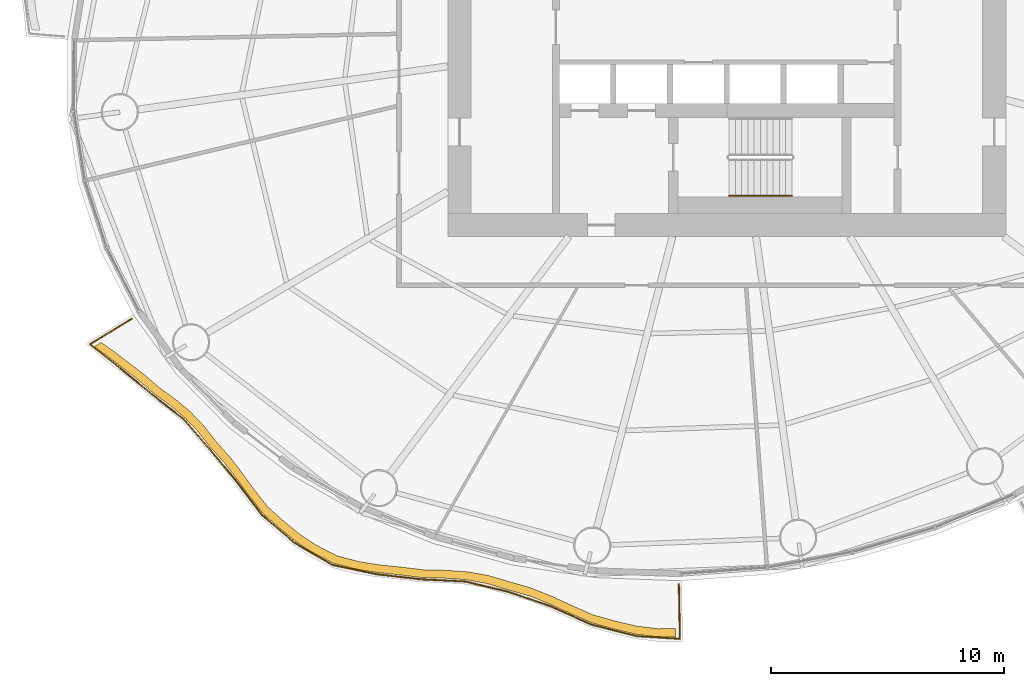
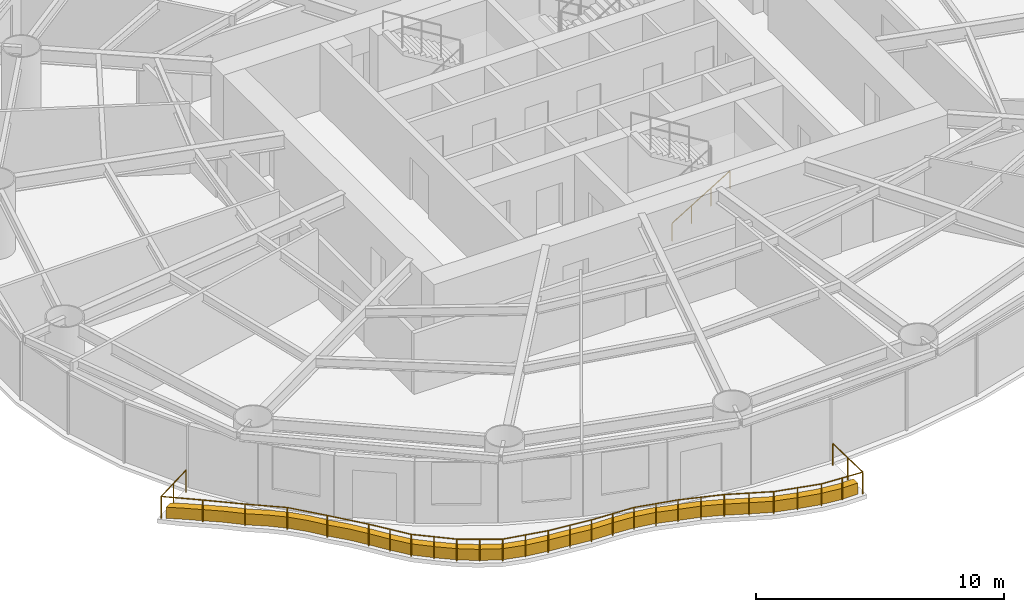
# One storey, part 12 of 16: 2 railings, 1 covering.
"""IFC4 building model written with IfcOpenShell, lengths in metres."""

from ifc_helpers import new_model, si_unit, direction, frame, origin, origin_2d, place, context, subcontext, project, spatial, polyline, circle, outline, extrude, material, type_object, element, save


model = new_model("IFC4")

# Units and contexts
model_context = context("Model", 3, precision=1e-05, world=origin(), true_north=direction((0.0, 1.0)))
body_context = subcontext(model_context, "Body", "Model", "MODEL_VIEW")
ifc_project = project(units=[si_unit("LENGTHUNIT", "METRE"), si_unit("AREAUNIT", "SQUARE_METRE"), si_unit("VOLUMEUNIT", "CUBIC_METRE"), si_unit("PLANEANGLEUNIT", "RADIAN"), si_unit("MASSUNIT", "GRAM", prefix="KILO")], contexts=[model_context])

# Site, building, storey
site_placement = place(None, origin())
site = spatial("IfcSite", under=ifc_project, at=site_placement, CompositionType="ELEMENT")
building_placement = place(site_placement, origin())
building = spatial("IfcBuilding", under=site, at=building_placement, Name="Vermilion Reach Broadcast Tower", CompositionType="ELEMENT")
storey_placement = place(building_placement, frame((0.0, 0.0, 88.60009765625)))
storey = spatial("IfcBuildingStorey", under=building, at=storey_placement, Name="L19", CompositionType="ELEMENT", Elevation=88.60009765625)

# Covering
ifc_material_1 = material(Name="Planting soil and greenery")
covering_type = type_object("IfcCoveringType", Name="Balcony PLANTER", PredefinedType="USERDEFINED", material=ifc_material_1)
covering_placement = place(storey_placement, origin())
element("IfcCovering", 1, at=covering_placement, inside=storey, type_object=covering_type, Name="PLANTER L19 group 3", ObjectType="PLANTER", PredefinedType="USERDEFINED", context=body_context, shape_type="SweptSolid", body=[
    extrude(outline(polyline([(-33.209716796875, -13.7353515625), (-32.6513671875, -14.14013671875), (-31.99658203125, -14.638427734375), (-31.344970703125, -15.13916015625), (-30.663330078125, -15.736083984375), (-29.925537109375, -16.273193359375), (-29.30908203125, -16.79541015625), (-28.7529296875, -17.376953125), (-28.19873046875, -18.076171875), (-27.580810546875, -18.76220703125), (-27.061767578125, -19.441162109375), (-26.5576171875, -20.1396484375), (-25.939208984375, -20.9169921875), (-25.185791015625, -21.5849609375), (-24.519287109375, -22.125244140625), (-23.809814453125, -22.58984375), (-22.919189453125, -23.04931640625), (-21.92138671875, -23.312255859375), (-21.03857421875, -23.447998046875), (-20.138916015625, -23.54248046875), (-19.148193359375, -23.6650390625), (-18.135986328125, -23.693115234375), (-17.232421875, -23.759765625), (-16.35302734375, -23.914306640625), (-15.43994140625, -24.185302734375), (-14.4990234375, -24.452392578125), (-13.633056640625, -24.794677734375), (-12.77490234375, -25.189208984375), (-11.809814453125, -25.6123046875), (-10.787841796875, -25.89697265625), (-9.873046875, -26.107421875), (-8.95458984375, -26.21875), (-8.199462890625, -26.213134765625), (-8.205810546875, -25.863037109375), (-8.94189453125, -25.869140625), (-9.8603515625, -25.757568359375), (-10.775146484375, -25.54736328125), (-11.77734375, -25.263671875), (-12.72265625, -24.843017578125), (-13.580810546875, -24.44873046875), (-14.44677734375, -24.1064453125), (-15.36767578125, -23.8427734375), (-16.2607421875, -23.57666015625), (-17.140380859375, -23.422119140625), (-18.043701171875, -23.35546875), (-19.03564453125, -23.33349609375), (-20.006103515625, -23.218505859375), (-20.906005859375, -23.124267578125), (-21.78857421875, -22.98828125), (-22.76611328125, -22.734619140625), (-23.636962890625, -22.28564453125), (-24.346435546875, -21.821044921875), (-25.0126953125, -21.280517578125), (-25.74609375, -20.625244140625), (-26.34521484375, -19.861328125), (-26.849365234375, -19.162841796875), (-27.368408203125, -18.484130859375), (-27.967041015625, -17.81396484375), (-28.503173828125, -17.131591796875), (-29.059326171875, -16.550048828125), (-29.67578125, -16.02783203125), (-30.39599609375, -15.510009765625), (-31.0615234375, -14.933837890625), (-31.713134765625, -14.43310546875), (-32.367919921875, -13.934814453125), (-32.911376953125, -13.55224609375), (-33.209716796875, -13.7353515625)])), origin(), (0.0, 0.0, 1.0), 0.5498046875),
])

# Railings
ifc_material_2 = material(Name="Stainless steel 316 balustrade", Category="steel")
railing_type_1 = type_object("IfcRailingType", Name="Balcony guard 1100", PredefinedType="BALUSTRADE", material=ifc_material_2)
railing_1_placement = place(storey_placement, frame((-31.590087890625, -12.531494140625, 0.0)))
element("IfcRailing", 2, at=railing_1_placement, inside=storey, type_object=railing_type_1, Name="Balcony guard L19 group 3", PredefinedType="BALUSTRADE", context=body_context, shape_type="SweptSolid", body=[
    extrude(circle(Radius=0.02490234375, at=origin_2d()), frame((0.0, 0.0, 1.0751953125), z_axis=(-0.852497841306, -0.522730743852, 0.0), x_axis=(0.522730743852, -0.852497841306, 0.0)), (0.0, 0.0, 1.0), 2.10400390625),
    extrude(circle(Radius=0.02490234375, at=origin_2d()), frame((-1.793701171875, -1.099853515625, 1.0751953125), z_axis=(0.781966101563, -0.623320957458, 0.0), x_axis=(0.623320957458, 0.781966101563, 0.0)), (0.0, 0.0, 1.0), 1.691162109375),
    extrude(circle(Radius=0.02490234375, at=origin_2d()), frame((-0.47119140625, -2.154052734375, 1.0751953125), z_axis=(0.77162915137, -0.636072678832, 0.0), x_axis=(0.636072678832, 0.77162915137, 0.0)), (0.0, 0.0, 1.0), 1.732666015625),
    extrude(circle(Radius=0.02490234375, at=origin_2d()), frame((0.86572265625, -3.256103515625, 1.0751953125), z_axis=(0.787328793744, -0.616533349091, 0.0), x_axis=(0.616533349091, 0.787328793744, 0.0)), (0.0, 0.0, 1.0), 1.725341796875),
    extrude(circle(Radius=0.02490234375, at=origin_2d()), frame((2.22412109375, -4.31982421875, 1.0751953125), z_axis=(0.655154576183, -0.755494858557, 0.0), x_axis=(0.755494858557, 0.655154576183, 0.0)), (0.0, 0.0, 1.0), 1.70068359375),
    extrude(circle(Radius=0.02490234375, at=origin_2d()), frame((3.33837890625, -5.604736328125, 1.0751953125), z_axis=(0.640602036227, -0.767873056684, 0.0), x_axis=(0.767873056684, 0.640602036227, 0.0)), (0.0, 0.0, 1.0), 1.781982421875),
    extrude(circle(Radius=0.02490234375, at=origin_2d()), frame((4.47998046875, -6.97314453125, 1.0751953125), z_axis=(0.605991783004, -0.795470903887, 0.0), x_axis=(0.795470903887, 0.605991783004, 0.0)), (0.0, 0.0, 1.0), 1.859375),
    extrude(circle(Radius=0.02490234375, at=origin_2d()), frame((5.606689453125, -8.4521484375, 1.0751953125), z_axis=(0.761858773408, -0.647743166217, 0.0), x_axis=(0.647743166217, 0.761858773408, 0.0)), (0.0, 0.0, 1.0), 1.869873046875),
    extrude(circle(Radius=0.02490234375, at=origin_2d()), frame((7.03125, -9.663330078125, 1.0751953125), z_axis=(0.865988083811, -0.50006463452, 0.0), x_axis=(0.50006463452, 0.865988083811, 0.0)), (0.0, 0.0, 1.0), 1.852783203125),
    extrude(circle(Radius=0.02490234375, at=origin_2d()), frame((8.6357421875, -10.58984375, 1.0751953125), z_axis=(0.978136635244, -0.207963272701, 0.0), x_axis=(0.207963272701, 0.978136635244, 0.0)), (0.0, 0.0, 1.0), 1.927734375),
    extrude(circle(Radius=0.02490234375, at=origin_2d()), frame((10.521240234375, -10.99072265625, 1.0751953125), z_axis=(0.993417901107, -0.114546382568, 0.0), x_axis=(0.114546382568, 0.993417901107, 0.0)), (0.0, 0.0, 1.0), 1.907470703125),
    extrude(circle(Radius=0.02490234375, at=origin_2d()), frame((12.416259765625, -11.209228515625, 1.0751953125), z_axis=(0.998747902067, -0.050026274271, 0.0), x_axis=(0.050026274271, 0.998747902067, 0.0)), (0.0, 0.0, 1.0), 1.9228515625),
    extrude(circle(Radius=0.02490234375, at=origin_2d()), frame((14.336669921875, -11.305419921875, 1.0751953125), z_axis=(0.972966262933, -0.230947290943, 0.0), x_axis=(0.230947290943, 0.972966262933, 0.0)), (0.0, 0.0, 1.0), 1.8466796875),
    extrude(circle(Radius=0.02490234375, at=origin_2d()), frame((16.133544921875, -11.73193359375, 1.0751953125), z_axis=(0.947656614013, -0.319291311999, 0.0), x_axis=(0.319291311999, 0.947656614013, 0.0)), (0.0, 0.0, 1.0), 1.91162109375),
    extrude(circle(Radius=0.02490234375, at=origin_2d()), frame((17.945068359375, -12.34228515625, 1.0751953125), z_axis=(0.912727331102, -0.408569234107, 0.0), x_axis=(0.408569234107, 0.912727331102, 0.0)), (0.0, 0.0, 1.0), 2.00244140625),
    extrude(circle(Radius=0.02490234375, at=origin_2d()), frame((19.772705078125, -13.160400390625, 1.0751953125), z_axis=(0.968955606009, -0.247234774219, 0.0), x_axis=(0.247234774219, 0.968955606009, 0.0)), (0.0, 0.0, 1.0), 2.003662109375),
    extrude(circle(Radius=0.02490234375, at=origin_2d()), frame((21.714111328125, -13.65576171875, 1.0751953125), z_axis=(0.998178084547, -0.060336651628, 0.0), x_axis=(0.060336651628, 0.998178084547, 0.0)), (0.0, 0.0, 1.0), 1.861328125),
    extrude(circle(Radius=0.02490234375, at=origin_2d()), frame((23.572021484375, -13.76806640625, 1.0751953125), z_axis=(-0.018197714132, 0.99983440789, 0.0), x_axis=(-0.99983440789, -0.018197714132, 0.0)), (0.0, 0.0, 1.0), 2.347900390625),
    extrude(circle(Radius=0.02490234375, at=origin_2d()), origin(), (0.0, 0.0, 1.0), 1.050048828125),
    extrude(circle(Radius=0.02490234375, at=origin_2d()), frame((-0.89697265625, -0.5498046875, 0.0)), (0.0, 0.0, 1.0), 1.050048828125),
    extrude(circle(Radius=0.02490234375, at=origin_2d()), frame((-1.793701171875, -1.099853515625, 0.0)), (0.0, 0.0, 1.0), 1.050048828125),
    extrude(circle(Radius=0.02490234375, at=origin_2d()), frame((-0.47119140625, -2.154052734375, 0.0)), (0.0, 0.0, 1.0), 1.050048828125),
    extrude(circle(Radius=0.02490234375, at=origin_2d()), frame((0.86572265625, -3.256103515625, 0.0)), (0.0, 0.0, 1.0), 1.050048828125),
    extrude(circle(Radius=0.02490234375, at=origin_2d()), frame((2.22412109375, -4.31982421875, 0.0)), (0.0, 0.0, 1.0), 1.050048828125),
    extrude(circle(Radius=0.02490234375, at=origin_2d()), frame((3.33837890625, -5.604736328125, 0.0)), (0.0, 0.0, 1.0), 1.050048828125),
    extrude(circle(Radius=0.02490234375, at=origin_2d()), frame((4.47998046875, -6.97314453125, 0.0)), (0.0, 0.0, 1.0), 1.050048828125),
    extrude(circle(Radius=0.02490234375, at=origin_2d()), frame((5.04345703125, -7.712646484375, 0.0)), (0.0, 0.0, 1.0), 1.050048828125),
    extrude(circle(Radius=0.02490234375, at=origin_2d()), frame((5.606689453125, -8.4521484375, 0.0)), (0.0, 0.0, 1.0), 1.050048828125),
    extrude(circle(Radius=0.02490234375, at=origin_2d()), frame((6.31884765625, -9.0576171875, 0.0)), (0.0, 0.0, 1.0), 1.050048828125),
    extrude(circle(Radius=0.02490234375, at=origin_2d()), frame((7.03125, -9.663330078125, 0.0)), (0.0, 0.0, 1.0), 1.050048828125),
    extrude(circle(Radius=0.02490234375, at=origin_2d()), frame((7.83349609375, -10.12646484375, 0.0)), (0.0, 0.0, 1.0), 1.050048828125),
    extrude(circle(Radius=0.02490234375, at=origin_2d()), frame((8.6357421875, -10.58984375, 0.0)), (0.0, 0.0, 1.0), 1.050048828125),
    extrude(circle(Radius=0.02490234375, at=origin_2d()), frame((9.57861328125, -10.790283203125, 0.0)), (0.0, 0.0, 1.0), 1.050048828125),
    extrude(circle(Radius=0.02490234375, at=origin_2d()), frame((10.521240234375, -10.99072265625, 0.0)), (0.0, 0.0, 1.0), 1.050048828125),
    extrude(circle(Radius=0.02490234375, at=origin_2d()), frame((11.46875, -11.10009765625, 0.0)), (0.0, 0.0, 1.0), 1.050048828125),
    extrude(circle(Radius=0.02490234375, at=origin_2d()), frame((12.416259765625, -11.209228515625, 0.0)), (0.0, 0.0, 1.0), 1.050048828125),
    extrude(circle(Radius=0.02490234375, at=origin_2d()), frame((13.37646484375, -11.25732421875, 0.0)), (0.0, 0.0, 1.0), 1.050048828125),
    extrude(circle(Radius=0.02490234375, at=origin_2d()), frame((14.336669921875, -11.305419921875, 0.0)), (0.0, 0.0, 1.0), 1.050048828125),
    extrude(circle(Radius=0.02490234375, at=origin_2d()), frame((15.235107421875, -11.5185546875, 0.0)), (0.0, 0.0, 1.0), 1.050048828125),
    extrude(circle(Radius=0.02490234375, at=origin_2d()), frame((16.133544921875, -11.73193359375, 0.0)), (0.0, 0.0, 1.0), 1.050048828125),
    extrude(circle(Radius=0.02490234375, at=origin_2d()), frame((17.039306640625, -12.037109375, 0.0)), (0.0, 0.0, 1.0), 1.050048828125),
    extrude(circle(Radius=0.02490234375, at=origin_2d()), frame((17.945068359375, -12.34228515625, 0.0)), (0.0, 0.0, 1.0), 1.050048828125),
    extrude(circle(Radius=0.02490234375, at=origin_2d()), frame((18.85888671875, -12.75146484375, 0.0)), (0.0, 0.0, 1.0), 1.050048828125),
    extrude(circle(Radius=0.02490234375, at=origin_2d()), frame((19.772705078125, -13.160400390625, 0.0)), (0.0, 0.0, 1.0), 1.050048828125),
    extrude(circle(Radius=0.02490234375, at=origin_2d()), frame((20.743408203125, -13.408203125, 0.0)), (0.0, 0.0, 1.0), 1.050048828125),
    extrude(circle(Radius=0.02490234375, at=origin_2d()), frame((21.714111328125, -13.65576171875, 0.0)), (0.0, 0.0, 1.0), 1.050048828125),
    extrude(circle(Radius=0.02490234375, at=origin_2d()), frame((22.64306640625, -13.7119140625, 0.0)), (0.0, 0.0, 1.0), 1.050048828125),
    extrude(circle(Radius=0.02490234375, at=origin_2d()), frame((23.572021484375, -13.76806640625, 0.0)), (0.0, 0.0, 1.0), 1.050048828125),
    extrude(circle(Radius=0.02490234375, at=origin_2d()), frame((23.55078125, -12.59423828125, 0.0)), (0.0, 0.0, 1.0), 1.050048828125),
    extrude(circle(Radius=0.02490234375, at=origin_2d()), frame((23.529296875, -11.420654296875, 0.0)), (0.0, 0.0, 1.0), 1.050048828125),
])
ifc_material_3 = material(Name="Stainless steel", Category="steel")
railing_type_2 = type_object("IfcRailingType", Name="Stair handrail", PredefinedType="HANDRAIL", material=ifc_material_3)
railing_2_placement = place(storey_placement, frame((-5.89990234375, -7.25, 0.16357421875)))
element("IfcRailing", 3, at=railing_2_placement, inside=storey, type_object=railing_type_2, Name="L19 ST3 stair handrail 1", PredefinedType="HANDRAIL", context=body_context, shape_type="SweptSolid", body=[
    extrude(circle(Radius=0.02392578125, at=origin_2d()), frame((0.0, 0.0, 0.8759765625), z_axis=(0.855212373127, 0.0, 0.518277721738), x_axis=(0.0, 1.0, 0.0)), (0.0, 0.0, 1.0), 3.156982421875),
    extrude(circle(Radius=0.02099609375, at=origin_2d()), origin(), (0.0, 0.0, 1.0), 0.851806640625),
    extrude(circle(Radius=0.02099609375, at=origin_2d()), frame((0.89990234375, 0.0, 0.54541015625)), (0.0, 0.0, 1.0), 0.851806640625),
    extrude(circle(Radius=0.02099609375, at=origin_2d()), frame((1.800048828125, 0.0, 1.0908203125)), (0.0, 0.0, 1.0), 0.851806640625),
    extrude(circle(Radius=0.02099609375, at=origin_2d()), frame((2.699951171875, 0.0, 1.63623046875)), (0.0, 0.0, 1.0), 0.851806640625),
])

save(model, "model.ifc")
